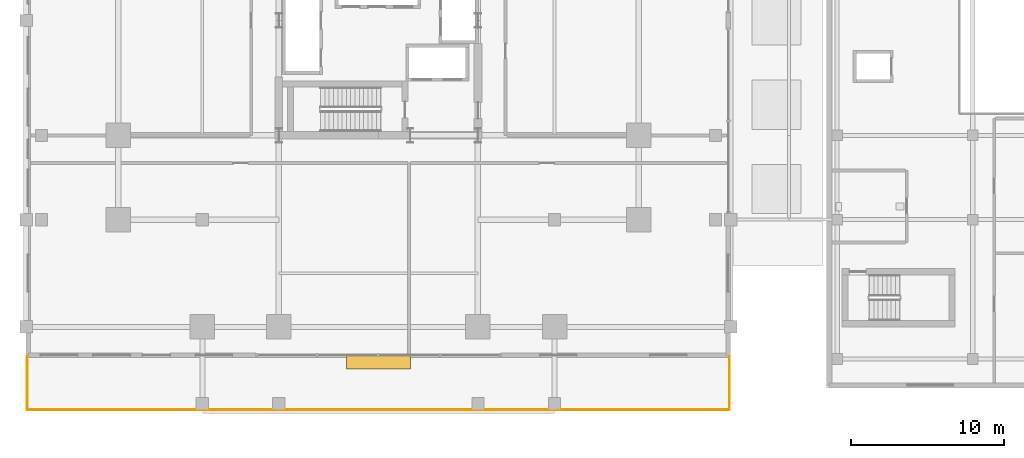
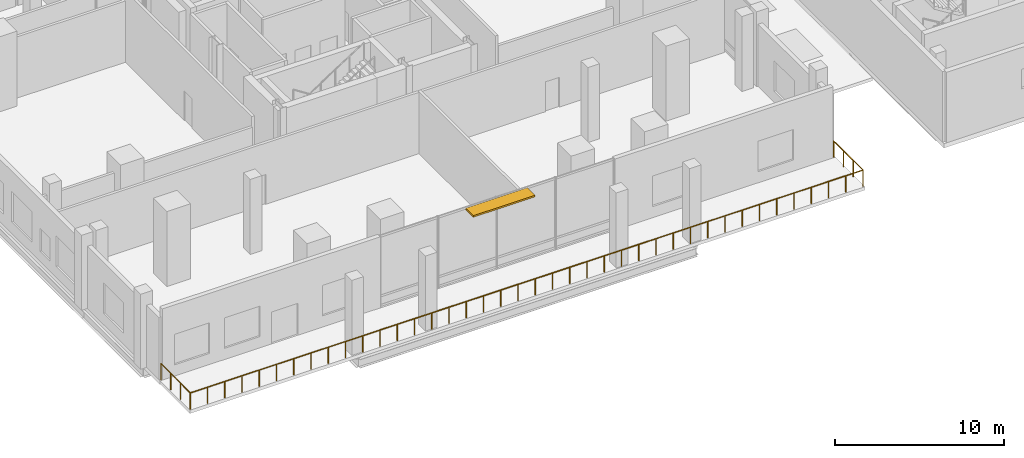
# One storey, part 30 of 36: 1 railing, 1 shading device.
"""IFC4 building model written with IfcOpenShell, lengths in metres."""

import ifcopenshell
import ifcopenshell.guid

model = None  # the IFC model being written
_history = None  # IfcOwnerHistory: only IFC2X3 demands one
_inside = {}  # id of a spatial element -> (the spatial element, [elements in it])
_under = {}  # id of a project, library or spatial element -> (it, [spatial elements below it])
_declared = {}  # id of a project -> (the project, [libraries it declares])
_typed = {}  # id of a type object -> (the type object, [elements of that type])
_made_of = {}  # id of a material, layer set ... -> (it, [elements and type objects made of it])


def new_model(schema):
    """Start an empty IFC model of exactly this schema.

    Asked for "IFC4X3", IfcOpenShell would pick the latest addendum, in which some entities
    have other attributes; the version numbers below select the first issue.
    IFC2X3 requires an IfcOwnerHistory on every rooted entity: one is made here for all.
    """
    global model, _history
    if schema == "IFC4X3":
        model = ifcopenshell.file(schema_version=(4, 3, 0, 0))
    else:
        model = ifcopenshell.file(schema=schema)
    _inside.clear()
    _under.clear()
    _declared.clear()
    _typed.clear()
    _made_of.clear()
    _history = None
    if model.schema == "IFC2X3":
        org = make("IfcOrganization", Name="unknown")
        user = make(
            "IfcPersonAndOrganization",
            ThePerson=make("IfcPerson", FamilyName="unknown"),
            TheOrganization=org,
        )
        app = make(
            "IfcApplication",
            ApplicationDeveloper=org,
            Version="unknown",
            ApplicationFullName="unknown",
            ApplicationIdentifier="unknown",
        )
        _history = make(
            "IfcOwnerHistory",
            OwningUser=user,
            OwningApplication=app,
            ChangeAction="ADDED",
            CreationDate=0,
        )
    return model


def make(cls, **values):
    """One entity of the class cls with the attributes given. An attribute that is None is left unset."""
    return model.create_entity(
        cls, **{name: value for name, value in values.items() if value is not None}
    )


def rooted(cls, **values):
    """An entity with a GlobalId (a new one), such as an element, a storey or a relation."""
    return make(cls, GlobalId=ifcopenshell.guid.new(), OwnerHistory=_history, **values)


def si_unit(unit_type, name, prefix=None):
    """IfcSIUnit, for example si_unit("LENGTHUNIT", "METRE", prefix="MILLI")."""
    return make("IfcSIUnit", UnitType=unit_type, Prefix=prefix, Name=name)


def assignment(units):
    """IfcUnitAssignment: the units of a project."""
    return None if units is None else make("IfcUnitAssignment", Units=units)


def point(xyz):
    """IfcCartesianPoint."""
    return None if xyz is None else make("IfcCartesianPoint", Coordinates=xyz)


def direction(xyz):
    """IfcDirection."""
    return None if xyz is None else make("IfcDirection", DirectionRatios=xyz)


def frame(location, z_axis=None, x_axis=None):
    """IfcAxis2Placement3D, a coordinate frame: its origin and axes. An axis left out is left unset."""
    return make(
        "IfcAxis2Placement3D",
        Location=point(location),
        Axis=direction(z_axis),
        RefDirection=direction(x_axis),
    )


def frame_2d(location, x_axis=None):
    """IfcAxis2Placement2D, a coordinate frame in the plane: its origin and x axis."""
    return make(
        "IfcAxis2Placement2D", Location=point(location), RefDirection=direction(x_axis)
    )


def origin():
    """The frame at (0, 0, 0) with its axes left unset."""
    return frame((0.0, 0.0, 0.0))


def origin_2d():
    """The frame at (0, 0) in the plane with its x axis left unset."""
    return frame_2d((0.0, 0.0))


def place(relative_to, where):
    """IfcLocalPlacement: puts the frame where relative to a parent placement (None: the world)."""
    return make(
        "IfcLocalPlacement", PlacementRelTo=relative_to, RelativePlacement=where
    )


def context(
    kind, dimensions, precision=None, world=None, true_north=None, identifier=None
):
    """IfcGeometricRepresentationContext, for example the 3D "Model" context."""
    return make(
        "IfcGeometricRepresentationContext",
        ContextIdentifier=identifier,
        ContextType=kind,
        CoordinateSpaceDimension=dimensions,
        Precision=precision,
        WorldCoordinateSystem=world,
        TrueNorth=true_north,
    )


def subcontext(parent, identifier, kind, view, scale=None):
    """IfcGeometricRepresentationSubContext, for example "Body" below "Model"."""
    return make(
        "IfcGeometricRepresentationSubContext",
        ContextIdentifier=identifier,
        ContextType=kind,
        ParentContext=parent,
        TargetScale=scale,
        TargetView=view,
    )


def project(units=None, contexts=None):
    """IfcProject with its units and contexts."""
    return rooted(
        "IfcProject",
        Name="project",
        RepresentationContexts=contexts,
        UnitsInContext=assignment(units),
    )


def spatial(cls, under=None, at=None, **own):
    """A site, building, storey or space (cls), placed at a placement, below another one or the project."""
    s = rooted(cls, ObjectPlacement=at, **own)
    if under is not None:
        _under.setdefault(under.id(), (under, []))[1].append(s)
    return s


def profile(cls, at=None, kind="AREA", **sizes):
    """A parametric profile (cls). Its sizes go by their IFC names, for example OverallWidth=200.0."""
    return make(cls, ProfileType=kind, Position=at, **sizes)


def rectangle(**sizes):
    """IfcRectangleProfileDef."""
    return profile("IfcRectangleProfileDef", **sizes)


def circle(**sizes):
    """IfcCircleProfileDef."""
    return profile("IfcCircleProfileDef", **sizes)


def extrude(swept, where, along, depth):
    """IfcExtrudedAreaSolid: the profile swept, set in the frame where, extruded along a direction by depth."""
    return make(
        "IfcExtrudedAreaSolid",
        SweptArea=swept,
        Position=where,
        ExtrudedDirection=direction(along),
        Depth=depth,
    )


def shape(context_of_items, identifier, shape_type, items):
    """IfcShapeRepresentation: the items that make up one representation, for example the "Body"."""
    return make(
        "IfcShapeRepresentation",
        ContextOfItems=context_of_items,
        RepresentationIdentifier=identifier,
        RepresentationType=shape_type,
        Items=items,
    )


def material(Name=None, Category=None):
    """IfcMaterial."""
    return make("IfcMaterial", Name=Name, Category=Category)


def layer(
    of_material, thickness, ventilated=None, Name=None, Category=None, Priority=None
):
    """IfcMaterialLayer: one layer of a wall or slab, of a material (None: an air gap)."""
    return make(
        "IfcMaterialLayer",
        Material=of_material,
        LayerThickness=thickness,
        IsVentilated=ventilated,
        Name=Name,
        Category=Category,
        Priority=Priority,
    )


def layer_set(layers, Name=None):
    """IfcMaterialLayerSet."""
    return make("IfcMaterialLayerSet", MaterialLayers=layers, LayerSetName=Name)


def made_of(thing, what):
    """Note that an element or type object is made of a material, layer set ...; save() writes the relation."""
    if what is not None:
        _made_of.setdefault(what.id(), (what, []))[1].append(thing)
    return thing


def type_object(cls, material=None, **own):
    """A type object (cls), such as IfcWallType, which elements share."""
    return made_of(rooted(cls, **own), material)


def element(
    cls,
    number,
    at=None,
    inside=None,
    cuts=None,
    type_object=None,
    material=None,
    context=None,
    identifier="Body",
    shape_type=None,
    held_by="IfcProductDefinitionShape",
    body=None,
    shapes=None,
    **own,
):
    """One element of the class cls, such as IfcWall. Its Tag is "e" and its number.

    at: its placement. inside: the storey or other place that contains it. cuts: it is an
    opening in that element (IfcRelVoidsElement). A single representation is given by context,
    identifier, shape_type and body (its items); several are given by shapes. held_by: the class
    of the entity that holds the representations. save() writes the other relations.
    """
    e = rooted(cls, Tag="e%d" % number, ObjectPlacement=at, **own)
    if body is not None:
        shapes = [shape(context, identifier, shape_type, body)]
    if shapes is not None:
        e.Representation = make(held_by, Representations=shapes)
    if inside is not None:
        _inside.setdefault(inside.id(), (inside, []))[1].append(e)
    if cuts is not None:
        rooted(
            "IfcRelVoidsElement", RelatingBuildingElement=cuts, RelatedOpeningElement=e
        )
    if type_object is not None:
        _typed.setdefault(type_object.id(), (type_object, []))[1].append(e)
    return made_of(e, material)


def aggregate(whole, parts):
    """IfcRelAggregates: a whole, such as a stair, and the parts it consists of."""
    return rooted("IfcRelAggregates", RelatingObject=whole, RelatedObjects=parts)


def save(model, path):
    """Write the relations noted so far, then the file.

    IfcRelAggregates (storeys below a building ...), IfcRelContainedInSpatialStructure (elements
    in a storey), IfcRelDefinesByType, IfcRelAssociatesMaterial and IfcRelDeclares: one each for
    every whole, place, type object, material and project.
    """
    for whole, parts in _under.values():
        aggregate(whole, parts)
    for where, things in _inside.values():
        rooted(
            "IfcRelContainedInSpatialStructure",
            RelatedElements=things,
            RelatingStructure=where,
        )
    for kind, things in _typed.values():
        rooted("IfcRelDefinesByType", RelatedObjects=things, RelatingType=kind)
    for what, things in _made_of.values():
        rooted("IfcRelAssociatesMaterial", RelatedObjects=things, RelatingMaterial=what)
    for by, libraries in _declared.values():
        rooted("IfcRelDeclares", RelatingContext=by, RelatedDefinitions=libraries)
    model.write(path)


model = new_model("IFC4")

# Units and contexts
model_context = context("Model", 3, precision=1e-05, world=origin(), true_north=direction((0.0, 1.0)))
body_context = subcontext(model_context, "Body", "Model", "MODEL_VIEW")
ifc_project = project(units=[si_unit("LENGTHUNIT", "METRE"), si_unit("AREAUNIT", "SQUARE_METRE"), si_unit("VOLUMEUNIT", "CUBIC_METRE"), si_unit("PLANEANGLEUNIT", "RADIAN"), si_unit("MASSUNIT", "GRAM", prefix="KILO")], contexts=[model_context])

# Site, building, storey
site_placement = place(None, origin())
site = spatial("IfcSite", under=ifc_project, at=site_placement, CompositionType="ELEMENT")
building_placement = place(site_placement, origin())
building = spatial("IfcBuilding", under=site, at=building_placement, Name="Barlavira Tower and Art Museum", CompositionType="ELEMENT")
storey_placement = place(building_placement, frame((0.0, 0.0, 11.39990234375)))
storey = spatial("IfcBuildingStorey", under=building, at=storey_placement, Name="L02", CompositionType="ELEMENT", Elevation=11.39990234375)

# Shading device
ifc_material_1 = material(Name="Pale anodised aluminium", Category="aluminium")
ifc_layer = layer(ifc_material_1, 0.1201171875, Name="Pale anodised aluminium")
ifc_layer_set = layer_set([ifc_layer], Name="Pale anodised aluminium")
shading_device_type = type_object("IfcShadingDeviceType", Name="Podium Cascade Horizontal Sun-Visor Jalousie 900", PredefinedType="JALOUSIE", material=ifc_layer_set)
shading_device_placement = place(storey_placement, frame((0.0, -22.300048828125, 4.91015625), z_axis=(0.0, 0.0, 1.0), x_axis=(1.0, 0.0, 0.0)))
element("IfcShadingDevice", 1, at=shading_device_placement, inside=storey, type_object=shading_device_type, Name="L02 South Cascade Sun-Visor Jalousie", PredefinedType="JALOUSIE", context=body_context, shape_type="SweptSolid", body=[
    extrude(rectangle(XDim=4.199951171875, YDim=0.89990234375, at=origin_2d()), origin(), (0.0, 0.0, 1.0), 0.1201171875),
])

# Railing
ifc_material_2 = material(Name="Laminated safety glass and stainless steel", Category="steel")
railing_type = type_object("IfcRailingType", Name="Terrace and Wind-Floor Laminated Glass Balustrade 1200", PredefinedType="BALUSTRADE", material=ifc_material_2)
railing_placement = place(storey_placement, frame((-22.919921875, -21.949951171875, 0.0)))
element("IfcRailing", 2, at=railing_placement, inside=storey, type_object=railing_type, Name="L02 South Cascade Terrace Balustrade", PredefinedType="BALUSTRADE", context=body_context, shape_type="SweptSolid", body=[
    extrude(circle(Radius=0.02392578125, at=origin_2d()), frame((0.0, 0.0, 1.17578125), z_axis=(0.0, -1.0, 0.0), x_axis=(1.0, 0.0, 0.0)), (0.0, 0.0, 1.0), 3.469970703125),
    extrude(circle(Radius=0.02392578125, at=origin_2d()), frame((0.0, -3.469970703125, 1.17578125), z_axis=(1.0, 0.0, 0.0), x_axis=(0.0, 1.0, 0.0)), (0.0, 0.0, 1.0), 45.83984375),
    extrude(circle(Radius=0.02392578125, at=origin_2d()), frame((45.83984375, -3.469970703125, 1.17578125), z_axis=(0.0, 1.0, 0.0), x_axis=(-1.0, 0.0, 0.0)), (0.0, 0.0, 1.0), 3.469970703125),
    extrude(circle(Radius=0.02099609375, at=origin_2d()), origin(), (0.0, 0.0, 1.0), 1.15185546875),
    extrude(circle(Radius=0.02099609375, at=origin_2d()), frame((0.0, -1.15673828125, 0.0)), (0.0, 0.0, 1.0), 1.15185546875),
    extrude(circle(Radius=0.02099609375, at=origin_2d()), frame((0.0, -2.313232421875, 0.0)), (0.0, 0.0, 1.0), 1.15185546875),
    extrude(circle(Radius=0.02099609375, at=origin_2d()), frame((0.0, -3.469970703125, 0.0)), (0.0, 0.0, 1.0), 1.15185546875),
    extrude(circle(Radius=0.02099609375, at=origin_2d()), frame((1.17529296875, -3.469970703125, 0.0)), (0.0, 0.0, 1.0), 1.15185546875),
    extrude(circle(Radius=0.02099609375, at=origin_2d()), frame((2.350830078125, -3.469970703125, 0.0)), (0.0, 0.0, 1.0), 1.15185546875),
    extrude(circle(Radius=0.02099609375, at=origin_2d()), frame((3.526123046875, -3.469970703125, 0.0)), (0.0, 0.0, 1.0), 1.15185546875),
    extrude(circle(Radius=0.02099609375, at=origin_2d()), frame((4.701416015625, -3.469970703125, 0.0)), (0.0, 0.0, 1.0), 1.15185546875),
    extrude(circle(Radius=0.02099609375, at=origin_2d()), frame((5.876953125, -3.469970703125, 0.0)), (0.0, 0.0, 1.0), 1.15185546875),
    extrude(circle(Radius=0.02099609375, at=origin_2d()), frame((7.05224609375, -3.469970703125, 0.0)), (0.0, 0.0, 1.0), 1.15185546875),
    extrude(circle(Radius=0.02099609375, at=origin_2d()), frame((8.227783203125, -3.469970703125, 0.0)), (0.0, 0.0, 1.0), 1.15185546875),
    extrude(circle(Radius=0.02099609375, at=origin_2d()), frame((9.403076171875, -3.469970703125, 0.0)), (0.0, 0.0, 1.0), 1.15185546875),
    extrude(circle(Radius=0.02099609375, at=origin_2d()), frame((10.578369140625, -3.469970703125, 0.0)), (0.0, 0.0, 1.0), 1.15185546875),
    extrude(circle(Radius=0.02099609375, at=origin_2d()), frame((11.75390625, -3.469970703125, 0.0)), (0.0, 0.0, 1.0), 1.15185546875),
    extrude(circle(Radius=0.02099609375, at=origin_2d()), frame((12.92919921875, -3.469970703125, 0.0)), (0.0, 0.0, 1.0), 1.15185546875),
    extrude(circle(Radius=0.02099609375, at=origin_2d()), frame((14.1044921875, -3.469970703125, 0.0)), (0.0, 0.0, 1.0), 1.15185546875),
    extrude(circle(Radius=0.02099609375, at=origin_2d()), frame((15.280029296875, -3.469970703125, 0.0)), (0.0, 0.0, 1.0), 1.15185546875),
    extrude(circle(Radius=0.02099609375, at=origin_2d()), frame((16.455322265625, -3.469970703125, 0.0)), (0.0, 0.0, 1.0), 1.15185546875),
    extrude(circle(Radius=0.02099609375, at=origin_2d()), frame((17.630615234375, -3.469970703125, 0.0)), (0.0, 0.0, 1.0), 1.15185546875),
    extrude(circle(Radius=0.02099609375, at=origin_2d()), frame((18.80615234375, -3.469970703125, 0.0)), (0.0, 0.0, 1.0), 1.15185546875),
    extrude(circle(Radius=0.02099609375, at=origin_2d()), frame((19.9814453125, -3.469970703125, 0.0)), (0.0, 0.0, 1.0), 1.15185546875),
    extrude(circle(Radius=0.02099609375, at=origin_2d()), frame((21.15673828125, -3.469970703125, 0.0)), (0.0, 0.0, 1.0), 1.15185546875),
    extrude(circle(Radius=0.02099609375, at=origin_2d()), frame((22.332275390625, -3.469970703125, 0.0)), (0.0, 0.0, 1.0), 1.15185546875),
    extrude(circle(Radius=0.02099609375, at=origin_2d()), frame((23.507568359375, -3.469970703125, 0.0)), (0.0, 0.0, 1.0), 1.15185546875),
    extrude(circle(Radius=0.02099609375, at=origin_2d()), frame((24.68310546875, -3.469970703125, 0.0)), (0.0, 0.0, 1.0), 1.15185546875),
    extrude(circle(Radius=0.02099609375, at=origin_2d()), frame((25.8583984375, -3.469970703125, 0.0)), (0.0, 0.0, 1.0), 1.15185546875),
    extrude(circle(Radius=0.02099609375, at=origin_2d()), frame((27.03369140625, -3.469970703125, 0.0)), (0.0, 0.0, 1.0), 1.15185546875),
    extrude(circle(Radius=0.02099609375, at=origin_2d()), frame((28.209228515625, -3.469970703125, 0.0)), (0.0, 0.0, 1.0), 1.15185546875),
    extrude(circle(Radius=0.02099609375, at=origin_2d()), frame((29.384521484375, -3.469970703125, 0.0)), (0.0, 0.0, 1.0), 1.15185546875),
    extrude(circle(Radius=0.02099609375, at=origin_2d()), frame((30.559814453125, -3.469970703125, 0.0)), (0.0, 0.0, 1.0), 1.15185546875),
    extrude(circle(Radius=0.02099609375, at=origin_2d()), frame((31.7353515625, -3.469970703125, 0.0)), (0.0, 0.0, 1.0), 1.15185546875),
    extrude(circle(Radius=0.02099609375, at=origin_2d()), frame((32.91064453125, -3.469970703125, 0.0)), (0.0, 0.0, 1.0), 1.15185546875),
    extrude(circle(Radius=0.02099609375, at=origin_2d()), frame((34.0859375, -3.469970703125, 0.0)), (0.0, 0.0, 1.0), 1.15185546875),
    extrude(circle(Radius=0.02099609375, at=origin_2d()), frame((35.261474609375, -3.469970703125, 0.0)), (0.0, 0.0, 1.0), 1.15185546875),
    extrude(circle(Radius=0.02099609375, at=origin_2d()), frame((36.436767578125, -3.469970703125, 0.0)), (0.0, 0.0, 1.0), 1.15185546875),
    extrude(circle(Radius=0.02099609375, at=origin_2d()), frame((37.612060546875, -3.469970703125, 0.0)), (0.0, 0.0, 1.0), 1.15185546875),
    extrude(circle(Radius=0.02099609375, at=origin_2d()), frame((38.78759765625, -3.469970703125, 0.0)), (0.0, 0.0, 1.0), 1.15185546875),
    extrude(circle(Radius=0.02099609375, at=origin_2d()), frame((39.962890625, -3.469970703125, 0.0)), (0.0, 0.0, 1.0), 1.15185546875),
    extrude(circle(Radius=0.02099609375, at=origin_2d()), frame((41.138427734375, -3.469970703125, 0.0)), (0.0, 0.0, 1.0), 1.15185546875),
    extrude(circle(Radius=0.02099609375, at=origin_2d()), frame((42.313720703125, -3.469970703125, 0.0)), (0.0, 0.0, 1.0), 1.15185546875),
    extrude(circle(Radius=0.02099609375, at=origin_2d()), frame((43.489013671875, -3.469970703125, 0.0)), (0.0, 0.0, 1.0), 1.15185546875),
    extrude(circle(Radius=0.02099609375, at=origin_2d()), frame((44.66455078125, -3.469970703125, 0.0)), (0.0, 0.0, 1.0), 1.15185546875),
    extrude(circle(Radius=0.02099609375, at=origin_2d()), frame((45.83984375, -3.469970703125, 0.0)), (0.0, 0.0, 1.0), 1.15185546875),
    extrude(circle(Radius=0.02099609375, at=origin_2d()), frame((45.83984375, -2.313232421875, 0.0)), (0.0, 0.0, 1.0), 1.15185546875),
    extrude(circle(Radius=0.02099609375, at=origin_2d()), frame((45.83984375, -1.15673828125, 0.0)), (0.0, 0.0, 1.0), 1.15185546875),
    extrude(circle(Radius=0.02099609375, at=origin_2d()), frame((45.83984375, 0.0, 0.0)), (0.0, 0.0, 1.0), 1.15185546875),
])

save(model, "model.ifc")
